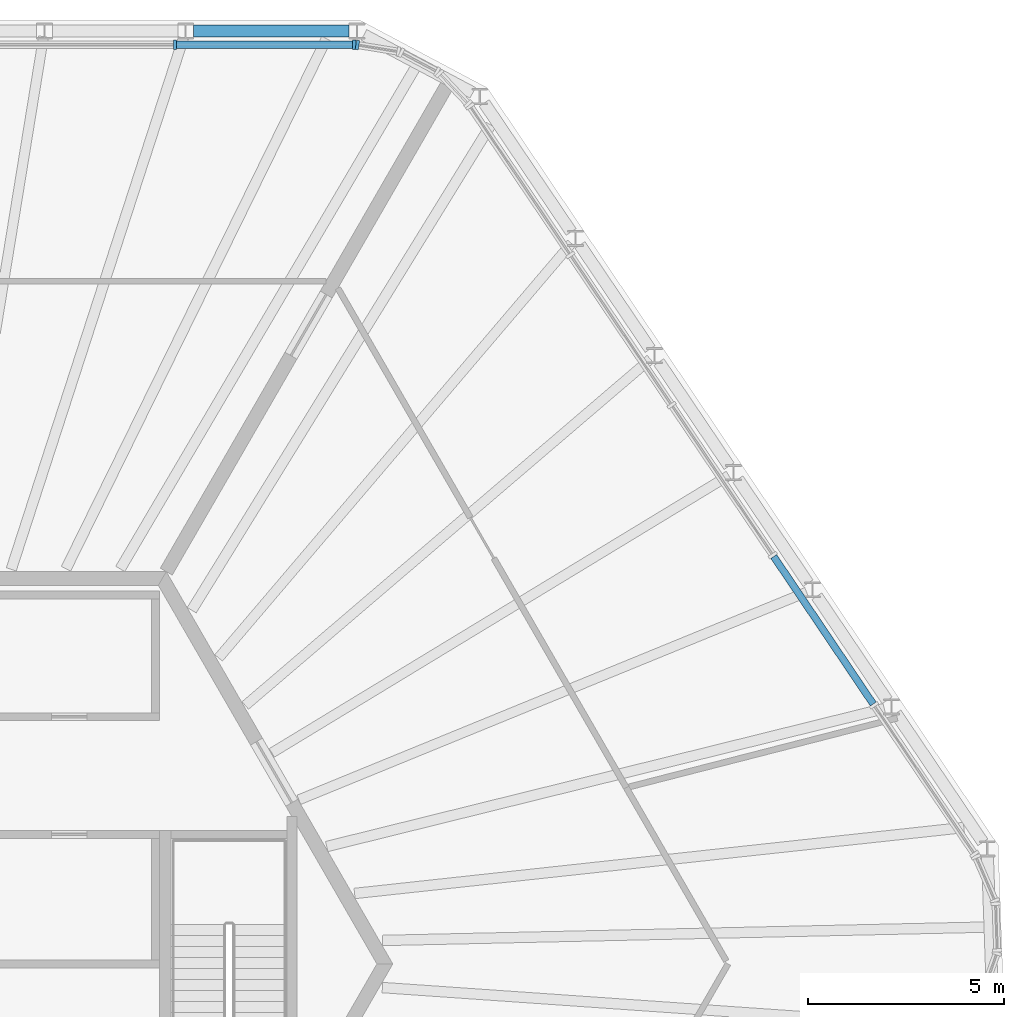
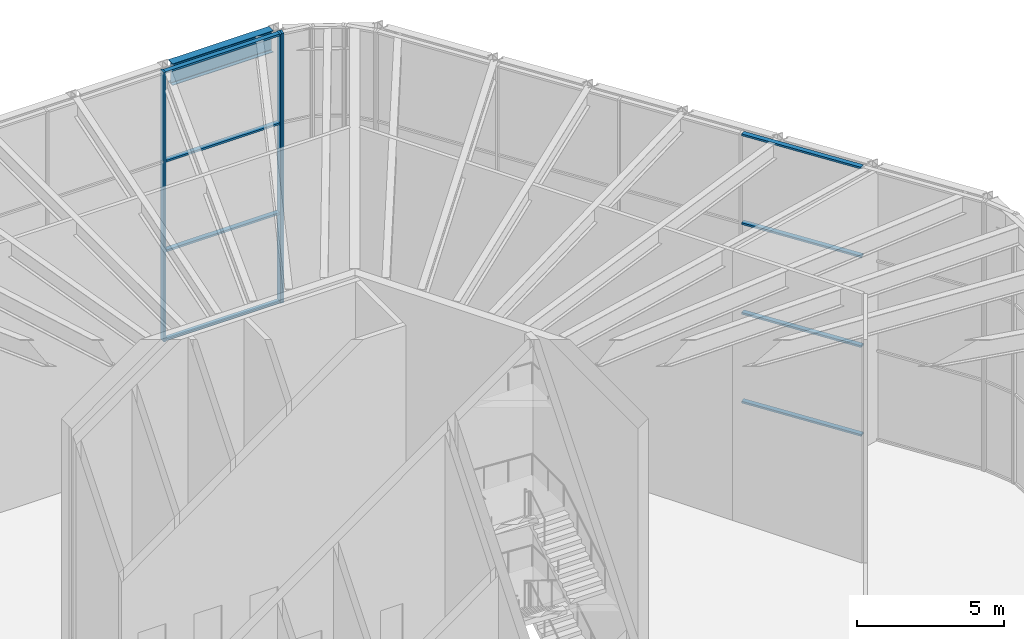
# One storey, part 9 of 17: 11 members, 1 beam, 3 elements without a shape of their own.
"""IFC4 building model written with IfcOpenShell, lengths in metres."""

from ifc_helpers import new_model, si_unit, direction, frame, origin, origin_2d, place, context, subcontext, project, spatial, rectangle, i_section, extrude, material, material_profile, profile_set, type_object, element, aggregate, save


model = new_model("IFC4")

# Units and contexts
model_context = context("Model", 3, precision=1e-05, world=origin(), true_north=direction((0.0, 1.0)))
body_context = subcontext(model_context, "Body", "Model", "MODEL_VIEW")
ifc_project = project(units=[si_unit("LENGTHUNIT", "METRE"), si_unit("AREAUNIT", "SQUARE_METRE"), si_unit("VOLUMEUNIT", "CUBIC_METRE"), si_unit("PLANEANGLEUNIT", "RADIAN"), si_unit("MASSUNIT", "GRAM", prefix="KILO")], contexts=[model_context])

# Site, building, storey
site_placement = place(None, origin())
site = spatial("IfcSite", under=ifc_project, at=site_placement, CompositionType="ELEMENT")
building_placement = place(site_placement, origin())
building = spatial("IfcBuilding", under=site, at=building_placement, Name="Tarnside Tower", CompositionType="ELEMENT")
storey_placement = place(building_placement, frame((0.0, 0.0, 376.800048828125)))
storey = spatial("IfcBuildingStorey", under=building, at=storey_placement, Name="L91", CompositionType="ELEMENT", Elevation=376.800048828125)

# Curtain wall, members
ifc_material_1 = material(Name="Damper hall glazing wall", Category="glass")
curtain_wall_type = type_object("IfcCurtainWallType", Name="Damper hall glazing wall", PredefinedType="NOTDEFINED", material=ifc_material_1)
curtain_wall_1_placement = place(storey_placement, origin())
curtain_wall_1 = element("IfcCurtainWall", 1, at=curtain_wall_1_placement, inside=storey, type_object=curtain_wall_type, Name="Damper hall glazing L91 00", PredefinedType="NOTDEFINED")
ifc_material_2 = material(Name="Aluminium alloy 6063", Category="aluminium")
ifc_material_profile_1 = material_profile(ifc_material_2, rectangle(XDim=0.239990234375, YDim=0.080078125, at=origin_2d()), Name="Damper hall glazing mullion 80 x 240")
ifc_profile_set_1 = profile_set([ifc_material_profile_1], Name="Aluminium alloy 6063")
member_type_1 = type_object("IfcMemberType", Name="Damper hall glazing mullion 80 x 240", PredefinedType="MULLION", material=ifc_profile_set_1)
member_1_placement = place(storey_placement, frame((5.99169921875, 23.429931640625, 0.0), z_axis=(0.0, 0.0, 1.0), x_axis=(0.0, 1.0, 0.0)))
member_1 = element("IfcMember", 2, at=member_1_placement, type_object=member_type_1, Name="CW5 mullion 5", PredefinedType="MULLION", context=body_context, shape_type="SweptSolid", body=[
    extrude(rectangle(XDim=0.239990234375, YDim=0.080078125, at=origin_2d()), origin(), (0.0, 0.0, 1.0), 11.199951171875),
])
member_2_placement = place(storey_placement, frame((10.56591796875, 23.429931640625, 0.0), z_axis=(0.0, 0.0, 1.0), x_axis=(0.0, 1.0, 0.0)))
member_2 = element("IfcMember", 3, at=member_2_placement, type_object=member_type_1, Name="CW5 mullion 6", PredefinedType="MULLION", context=body_context, shape_type="SweptSolid", body=[
    extrude(rectangle(XDim=0.239990234375, YDim=0.080078125, at=origin_2d()), origin(), (0.0, 0.0, 1.0), 11.199951171875),
])

# Curtain wall, member
curtain_wall_2_placement = place(storey_placement, origin())
curtain_wall_2 = element("IfcCurtainWall", 4, at=curtain_wall_2_placement, inside=storey, type_object=curtain_wall_type, Name="Damper hall glazing L91 01", PredefinedType="NOTDEFINED")
member_3_placement = place(storey_placement, frame((10.6455078125, 23.423583984375, 0.0), z_axis=(0.0, 0.0, 1.0), x_axis=(0.162177922807, 0.986761532162, 0.0)))
member_3 = element("IfcMember", 5, at=member_3_placement, type_object=member_type_1, Name="CW5 mullion 1", PredefinedType="MULLION", context=body_context, shape_type="SweptSolid", body=[
    extrude(rectangle(XDim=0.239990234375, YDim=0.080078125, at=origin_2d()), origin(), (0.0, 0.0, 1.0), 11.199951171875),
])
aggregate(curtain_wall_2, [member_3])

# Member
ifc_material_profile_2 = material_profile(ifc_material_2, rectangle(XDim=0.179931640625, YDim=0.080078125, at=origin_2d()), Name="Damper hall glazing transom 80 x 180")
ifc_profile_set_2 = profile_set([ifc_material_profile_2], Name="Aluminium alloy 6063")
member_type_2 = type_object("IfcMemberType", Name="Damper hall glazing transom 80 x 180", PredefinedType="USERDEFINED", material=ifc_profile_set_2)
member_4_placement = place(storey_placement, frame((6.03173828125, 23.429931640625, 0.0400390625), z_axis=(1.0, 0.0, 0.0), x_axis=(0.0, 1.0, 0.0)))
member_4 = element("IfcMember", 6, at=member_4_placement, type_object=member_type_2, Name="CW5 transom 5.1", ObjectType="TRANSOM", PredefinedType="USERDEFINED", context=body_context, shape_type="SweptSolid", body=[
    extrude(rectangle(XDim=0.179931640625, YDim=0.080078125, at=origin_2d()), origin(), (0.0, 0.0, 1.0), 4.494384765625),
])

member_5_placement = place(storey_placement, frame((6.03173828125, 23.429931640625, 3.733154296875), z_axis=(1.0, 0.0, 0.0), x_axis=(0.0, 1.0, 0.0)))
member_5 = element("IfcMember", 7, at=member_5_placement, type_object=member_type_2, Name="CW5 transom 5.2", ObjectType="TRANSOM", PredefinedType="USERDEFINED", context=body_context, shape_type="SweptSolid", body=[
    extrude(rectangle(XDim=0.179931640625, YDim=0.080078125, at=origin_2d()), origin(), (0.0, 0.0, 1.0), 4.494384765625),
])

member_6_placement = place(storey_placement, frame((6.03173828125, 23.429931640625, 7.466552734375), z_axis=(1.0, 0.0, 0.0), x_axis=(0.0, 1.0, 0.0)))
member_6 = element("IfcMember", 8, at=member_6_placement, type_object=member_type_2, Name="CW5 transom 5.3", ObjectType="TRANSOM", PredefinedType="USERDEFINED", context=body_context, shape_type="SweptSolid", body=[
    extrude(rectangle(XDim=0.179931640625, YDim=0.080078125, at=origin_2d()), origin(), (0.0, 0.0, 1.0), 4.494384765625),
])

member_7_placement = place(storey_placement, frame((6.03173828125, 23.429931640625, 11.159912109375), z_axis=(1.0, 0.0, 0.0), x_axis=(0.0, 1.0, 0.0)))
member_7 = element("IfcMember", 9, at=member_7_placement, type_object=member_type_2, Name="CW5 transom 5.4", ObjectType="TRANSOM", PredefinedType="USERDEFINED", context=body_context, shape_type="SweptSolid", body=[
    extrude(rectangle(XDim=0.179931640625, YDim=0.080078125, at=origin_2d()), origin(), (0.0, 0.0, 1.0), 4.494384765625),
])

aggregate(curtain_wall_1, [member_1, member_2, member_4, member_5, member_6, member_7])

# Curtain wall, members
curtain_wall_3_placement = place(storey_placement, origin())
curtain_wall_3 = element("IfcCurtainWall", 10, at=curtain_wall_3_placement, inside=storey, type_object=curtain_wall_type, Name="Damper hall glazing L91 04", PredefinedType="NOTDEFINED")
member_8_placement = place(storey_placement, frame((21.256591796875, 10.385498046875, 0.0400390625), z_axis=(0.559189863797, -0.829039622833, 0.0), x_axis=(0.829039622833, 0.559189863797, 0.0)))
member_8 = element("IfcMember", 11, at=member_8_placement, type_object=member_type_2, Name="CW5 transom 4.1", ObjectType="TRANSOM", PredefinedType="USERDEFINED", context=body_context, shape_type="SweptSolid", body=[
    extrude(rectangle(XDim=0.179931640625, YDim=0.080078125, at=origin_2d()), origin(), (0.0, 0.0, 1.0), 4.534423828125),
])
member_9_placement = place(storey_placement, frame((21.256591796875, 10.385498046875, 3.733154296875), z_axis=(0.559189863797, -0.829039622833, 0.0), x_axis=(0.829039622833, 0.559189863797, 0.0)))
member_9 = element("IfcMember", 12, at=member_9_placement, type_object=member_type_2, Name="CW5 transom 4.2", ObjectType="TRANSOM", PredefinedType="USERDEFINED", context=body_context, shape_type="SweptSolid", body=[
    extrude(rectangle(XDim=0.179931640625, YDim=0.080078125, at=origin_2d()), origin(), (0.0, 0.0, 1.0), 4.534423828125),
])
member_10_placement = place(storey_placement, frame((21.256591796875, 10.385498046875, 7.466552734375), z_axis=(0.559189863797, -0.829039622833, 0.0), x_axis=(0.829039622833, 0.559189863797, 0.0)))
member_10 = element("IfcMember", 13, at=member_10_placement, type_object=member_type_2, Name="CW5 transom 4.3", ObjectType="TRANSOM", PredefinedType="USERDEFINED", context=body_context, shape_type="SweptSolid", body=[
    extrude(rectangle(XDim=0.179931640625, YDim=0.080078125, at=origin_2d()), origin(), (0.0, 0.0, 1.0), 4.534423828125),
])
member_11_placement = place(storey_placement, frame((21.256591796875, 10.385498046875, 11.159912109375), z_axis=(0.559189863797, -0.829039622833, 0.0), x_axis=(0.829039622833, 0.559189863797, 0.0)))
member_11 = element("IfcMember", 14, at=member_11_placement, type_object=member_type_2, Name="CW5 transom 4.4", ObjectType="TRANSOM", PredefinedType="USERDEFINED", context=body_context, shape_type="SweptSolid", body=[
    extrude(rectangle(XDim=0.179931640625, YDim=0.080078125, at=origin_2d()), origin(), (0.0, 0.0, 1.0), 4.534423828125),
])
aggregate(curtain_wall_3, [member_8, member_9, member_10, member_11])

# Beam
ifc_material_3 = material(Name="Steel S355", Category="steel")
ifc_material_profile_3 = material_profile(ifc_material_3, i_section(OverallWidth=0.30322265625, OverallDepth=0.903076171875, WebThickness=0.01513671875, FlangeThickness=0.020263671875, FilletRadius=0.01904296875, at=origin_2d()), Name="UB 914x305x201")
ifc_profile_set_3 = profile_set([ifc_material_profile_3], Name="Steel S355")
beam_type = type_object("IfcBeamType", Name="Perimeter girder UB 914x305x201", PredefinedType="BEAM", material=ifc_profile_set_3)
beam_placement = place(storey_placement, frame((10.4326171875, 23.77490234375, 10.74853515625), z_axis=(-1.0, 0.0, 0.0), x_axis=(0.0, -1.0, 0.0)))
element("IfcBeam", 15, at=beam_placement, inside=storey, type_object=beam_type, Name="Perimeter girder R1", PredefinedType="BEAM", context=body_context, shape_type="SweptSolid", body=[
    extrude(i_section(OverallWidth=0.30322265625, OverallDepth=0.903076171875, WebThickness=0.01513671875, FlangeThickness=0.020263671875, FilletRadius=0.01904296875, at=origin_2d()), origin(), (0.0, 0.0, 1.0), 3.962646484375),
])

save(model, "model.ifc")
